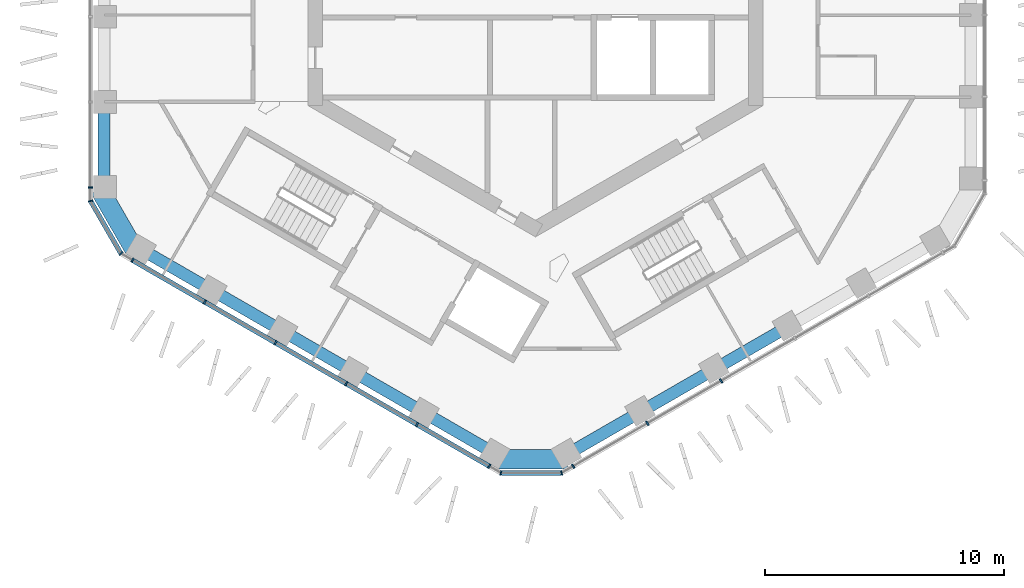
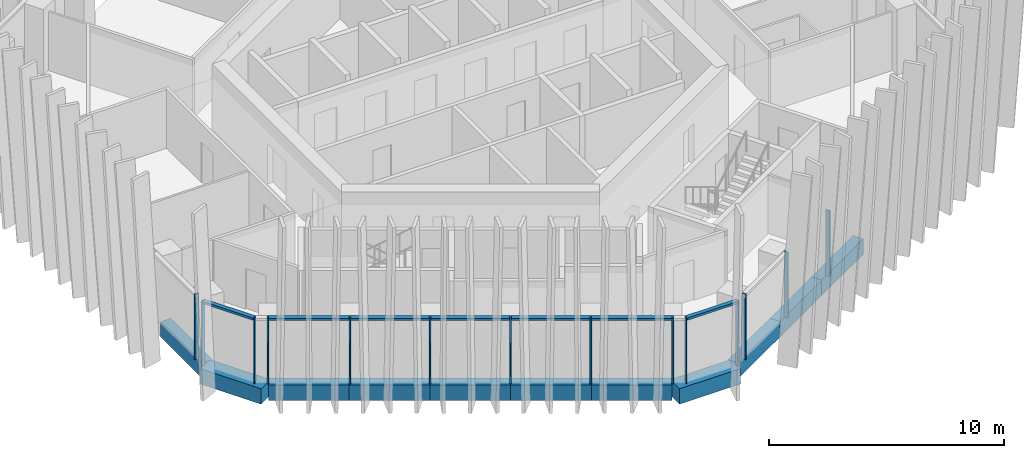
# One storey, part 2 of 20: 17 members, 11 beams, 5 elements without a shape of their own.
"""IFC4 building model written with IfcOpenShell, lengths in metres."""

from ifc_helpers import new_model, si_unit, direction, frame, origin, origin_2d, place, context, subcontext, project, spatial, rectangle, extrude, material, layer, layer_set, material_profile, profile_set, type_object, element, aggregate, save


model = new_model("IFC4")

# Units and contexts
model_context = context("Model", 3, precision=1e-05, world=origin(), true_north=direction((0.0, 1.0)))
body_context = subcontext(model_context, "Body", "Model", "MODEL_VIEW")
ifc_project = project(units=[si_unit("LENGTHUNIT", "METRE"), si_unit("AREAUNIT", "SQUARE_METRE"), si_unit("VOLUMEUNIT", "CUBIC_METRE"), si_unit("PLANEANGLEUNIT", "RADIAN"), si_unit("MASSUNIT", "GRAM", prefix="KILO")], contexts=[model_context])

# Site, building, storey
site_placement = place(None, origin())
site = spatial("IfcSite", under=ifc_project, at=site_placement, CompositionType="ELEMENT")
building_placement = place(site_placement, origin())
building = spatial("IfcBuilding", under=site, at=building_placement, Name="Ayvan Gate Tower", CompositionType="ELEMENT")
storey_placement = place(building_placement, frame((0.0, 0.0, 162.89990234375)))
storey = spatial("IfcBuildingStorey", under=building, at=storey_placement, Name="L43", CompositionType="ELEMENT", Elevation=162.89990234375)

# Beams
ifc_material_1 = material(Name="Concrete C40/50", Category="concrete")
ifc_material_profile_1 = material_profile(ifc_material_1, rectangle(XDim=0.800048828125, YDim=0.800048828125, at=origin_2d()), Name="RC 800x800")
ifc_profile_set_1 = profile_set([ifc_material_profile_1], Name="Concrete C40/50")
beam_type_1 = type_object("IfcBeamType", Name="Corner spandrel beam RC 800x800 C40/50", PredefinedType="BEAM", material=ifc_profile_set_1)
for number, where, z_axis, x_axis, name in (
    (1, (-18.212158203125, -8.97314453125, -0.75), (0.499990139034, -0.866031096941, 0.0), (0.866031096941, 0.499990139034, 0.0), "SB-L43-24"),
    (2, (-1.6650390625, -20.2587890625, -0.75), (1.0, 0.0, 0.0), (0.0, 1.0, 0.0), "SB-L43-30"),
):
    element("IfcBeam", number, at=place(storey_placement, frame(where, z_axis=z_axis, x_axis=x_axis)), inside=storey, type_object=beam_type_1, Name=name, PredefinedType="BEAM", context=body_context, shape_type="SweptSolid", body=[
        extrude(rectangle(XDim=0.800048828125, YDim=0.800048828125, at=origin_2d()), origin(), (0.0, 0.0, 1.0), 3.0),
    ])
ifc_material_profile_2 = material_profile(ifc_material_1, rectangle(XDim=0.5, YDim=0.800048828125, at=origin_2d()), Name="RC 500x800")
ifc_profile_set_2 = profile_set([ifc_material_profile_2], Name="Concrete C40/50")
beam_type_2 = type_object("IfcBeamType", Name="Spandrel beam RC 500x800 C40/50", PredefinedType="BEAM", material=ifc_profile_set_2)
beam_1_placement = place(storey_placement, frame((-18.021484375, -5.31787109375, -0.75), z_axis=(0.0, -1.0, 0.0), x_axis=(1.0, 0.0, 0.0)))
element("IfcBeam", 3, at=beam_1_placement, inside=storey, type_object=beam_type_2, Name="SB-L43-23", PredefinedType="BEAM", context=body_context, shape_type="SweptSolid", body=[
    extrude(rectangle(XDim=0.5, YDim=0.800048828125, at=origin_2d()), origin(), (0.0, 0.0, 1.0), 3.54541015625),
])
beam_2_placement = place(storey_placement, frame((-16.521484375, -11.461181640625, -0.75), z_axis=(0.866005460335, -0.500034541477, 0.0), x_axis=(0.500034541477, 0.866005460335, 0.0)))
element("IfcBeam", 4, at=beam_2_placement, inside=storey, type_object=beam_type_2, Name="SB-L43-25", PredefinedType="BEAM", context=body_context, shape_type="SweptSolid", body=[
    extrude(rectangle(XDim=0.5, YDim=0.800048828125, at=origin_2d()), origin(), (0.0, 0.0, 1.0), 3.430908203125),
])
beam_3_placement = place(storey_placement, frame((-13.55029296875, -13.1767578125, -0.75), z_axis=(0.866023250907, -0.500003728874, 0.0), x_axis=(0.500003728874, 0.866023250907, 0.0)))
element("IfcBeam", 5, at=beam_3_placement, inside=storey, type_object=beam_type_2, Name="SB-L43-26", PredefinedType="BEAM", context=body_context, shape_type="SweptSolid", body=[
    extrude(rectangle(XDim=0.5, YDim=0.800048828125, at=origin_2d()), origin(), (0.0, 0.0, 1.0), 3.43115234375),
])
beam_4_placement = place(storey_placement, frame((-10.578857421875, -14.892333984375, -0.75), z_axis=(0.866036273972, -0.49998117181, 0.0), x_axis=(0.49998117181, 0.866036273972, 0.0)))
element("IfcBeam", 6, at=beam_4_placement, inside=storey, type_object=beam_type_2, Name="SB-L43-27", PredefinedType="BEAM", context=body_context, shape_type="SweptSolid", body=[
    extrude(rectangle(XDim=0.5, YDim=0.800048828125, at=origin_2d()), origin(), (0.0, 0.0, 1.0), 3.430908203125),
])
beam_5_placement = place(storey_placement, frame((-7.607666015625, -16.607666015625, -0.75), z_axis=(0.866023250907, -0.500003728874, 0.0), x_axis=(0.500003728874, 0.866023250907, 0.0)))
element("IfcBeam", 7, at=beam_5_placement, inside=storey, type_object=beam_type_2, Name="SB-L43-28", PredefinedType="BEAM", context=body_context, shape_type="SweptSolid", body=[
    extrude(rectangle(XDim=0.5, YDim=0.800048828125, at=origin_2d()), origin(), (0.0, 0.0, 1.0), 3.43115234375),
])
beam_6_placement = place(storey_placement, frame((-4.63623046875, -18.3232421875, -0.75), z_axis=(0.866005460335, -0.500034541477, 0.0), x_axis=(0.500034541477, 0.866005460335, 0.0)))
element("IfcBeam", 8, at=beam_6_placement, inside=storey, type_object=beam_type_2, Name="SB-L43-29", PredefinedType="BEAM", context=body_context, shape_type="SweptSolid", body=[
    extrude(rectangle(XDim=0.5, YDim=0.800048828125, at=origin_2d()), origin(), (0.0, 0.0, 1.0), 3.430908203125),
])
for number, where, z_axis, x_axis, name in (
    (9, (1.3349609375, -20.038818359375, -0.75), (0.866018157372, 0.500012550944, 0.0), (-0.500012550944, 0.866018157372, 0.0), "SB-L43-31"),
    (10, (4.4052734375, -18.26611328125, -0.75), (0.866018157372, 0.500012550944, 0.0), (-0.500012550944, 0.866018157372, 0.0), "SB-L43-32"),
):
    element("IfcBeam", number, at=place(storey_placement, frame(where, z_axis=z_axis, x_axis=x_axis)), inside=storey, type_object=beam_type_2, Name=name, PredefinedType="BEAM", context=body_context, shape_type="SweptSolid", body=[
        extrude(rectangle(XDim=0.5, YDim=0.800048828125, at=origin_2d()), origin(), (0.0, 0.0, 1.0), 3.54541015625),
    ])
beam_7_placement = place(storey_placement, frame((7.4755859375, -16.493408203125, -0.75), z_axis=(0.86604797581, 0.499960902066, 0.0), x_axis=(-0.499960902066, 0.86604797581, 0.0)))
element("IfcBeam", 11, at=beam_7_placement, inside=storey, type_object=beam_type_2, Name="SB-L43-33", PredefinedType="BEAM", context=body_context, shape_type="SweptSolid", body=[
    extrude(rectangle(XDim=0.5, YDim=0.800048828125, at=origin_2d()), origin(), (0.0, 0.0, 1.0), 3.545166015625),
])

# Curtain wall, member
ifc_material_2 = material(Name="Bronze anodised aluminium", Category="aluminium")
ifc_layer_1 = layer(ifc_material_2, 0.199951171875)
ifc_layer_set_1 = layer_set([ifc_layer_1], Name="Bronze anodised aluminium")
curtain_wall_type_1 = type_object("IfcCurtainWallType", Name="Stick curtain wall CW-2", PredefinedType="NOTDEFINED", material=ifc_layer_set_1)
curtain_wall_1_placement = place(storey_placement, origin())
curtain_wall_1 = element("IfcCurtainWall", 12, at=curtain_wall_1_placement, inside=storey, type_object=curtain_wall_type_1, Name="Stick curtain wall CW-2 L43", PredefinedType="NOTDEFINED")
ifc_material_profile_3 = material_profile(ifc_material_2, rectangle(XDim=0.199951171875, YDim=0.070068359375, at=origin_2d()), Name="Stick curtain wall CW-2 mullion 200 x 70")
ifc_profile_set_3 = profile_set([ifc_material_profile_3], Name="Bronze anodised aluminium")
member_type_1 = type_object("IfcMemberType", Name="Stick curtain wall CW-2 mullion 200 x 70", PredefinedType="MULLION", material=ifc_profile_set_3)
member_1_placement = place(storey_placement, frame((-18.58349609375, -8.911376953125, 0.0), z_axis=(0.0, 0.0, 1.0), x_axis=(-1.0, 0.0, 0.0)))
member_1 = element("IfcMember", 13, at=member_1_placement, type_object=member_type_1, Name="CW-2 mullion 6", PredefinedType="MULLION", context=body_context, shape_type="SweptSolid", body=[
    extrude(rectangle(XDim=0.199951171875, YDim=0.070068359375, at=origin_2d()), origin(), (0.0, 0.0, 1.0), 3.400146484375),
])
aggregate(curtain_wall_1, [member_1])

# Curtain wall, members
curtain_wall_2_placement = place(storey_placement, origin())
curtain_wall_2 = element("IfcCurtainWall", 14, at=curtain_wall_2_placement, inside=storey, type_object=curtain_wall_type_1, Name="Stick curtain wall CW-2 L43", PredefinedType="NOTDEFINED")
member_2_placement = place(storey_placement, frame((-16.831298828125, -11.946533203125, 0.0), z_axis=(0.0, 0.0, 1.0), x_axis=(-0.5, -0.866025403784, 0.0)))
member_2 = element("IfcMember", 15, at=member_2_placement, type_object=member_type_1, Name="CW-2 mullion 1", PredefinedType="MULLION", context=body_context, shape_type="SweptSolid", body=[
    extrude(rectangle(XDim=0.199951171875, YDim=0.070068359375, at=origin_2d()), origin(), (0.0, 0.0, 1.0), 3.400146484375),
])
member_3_placement = place(storey_placement, frame((-13.812255859375, -13.689453125, 0.0), z_axis=(0.0, 0.0, 1.0), x_axis=(-0.5, -0.866025403784, 0.0)))
member_3 = element("IfcMember", 16, at=member_3_placement, type_object=member_type_1, Name="CW-2 mullion 2", PredefinedType="MULLION", context=body_context, shape_type="SweptSolid", body=[
    extrude(rectangle(XDim=0.199951171875, YDim=0.070068359375, at=origin_2d()), origin(), (0.0, 0.0, 1.0), 3.400146484375),
])
member_4_placement = place(storey_placement, frame((-10.858154296875, -15.39501953125, 0.0), z_axis=(0.0, 0.0, 1.0), x_axis=(-0.5, -0.866025403784, 0.0)))
member_4 = element("IfcMember", 17, at=member_4_placement, type_object=member_type_1, Name="CW-2 mullion 3", PredefinedType="MULLION", context=body_context, shape_type="SweptSolid", body=[
    extrude(rectangle(XDim=0.199951171875, YDim=0.070068359375, at=origin_2d()), origin(), (0.0, 0.0, 1.0), 3.400146484375),
])
member_5_placement = place(storey_placement, frame((-7.9033203125, -17.100830078125, 0.0), z_axis=(0.0, 0.0, 1.0), x_axis=(-0.5, -0.866025403784, 0.0)))
member_5 = element("IfcMember", 18, at=member_5_placement, type_object=member_type_1, Name="CW-2 mullion 4", PredefinedType="MULLION", context=body_context, shape_type="SweptSolid", body=[
    extrude(rectangle(XDim=0.199951171875, YDim=0.070068359375, at=origin_2d()), origin(), (0.0, 0.0, 1.0), 3.400146484375),
])
member_6_placement = place(storey_placement, frame((-4.949462890625, -18.806396484375, 0.0), z_axis=(0.0, 0.0, 1.0), x_axis=(-0.5, -0.866025403784, 0.0)))
member_6 = element("IfcMember", 19, at=member_6_placement, type_object=member_type_1, Name="CW-2 mullion 5", PredefinedType="MULLION", context=body_context, shape_type="SweptSolid", body=[
    extrude(rectangle(XDim=0.199951171875, YDim=0.070068359375, at=origin_2d()), origin(), (0.0, 0.0, 1.0), 3.400146484375),
])
member_7_placement = place(storey_placement, frame((-1.93017578125, -20.549560546875, 0.0), z_axis=(0.0, 0.0, 1.0), x_axis=(-0.5, -0.866025403784, 0.0)))
member_7 = element("IfcMember", 20, at=member_7_placement, type_object=member_type_1, Name="CW-2 mullion 6", PredefinedType="MULLION", context=body_context, shape_type="SweptSolid", body=[
    extrude(rectangle(XDim=0.199951171875, YDim=0.070068359375, at=origin_2d()), origin(), (0.0, 0.0, 1.0), 3.400146484375),
])

curtain_wall_3_placement = place(storey_placement, origin())
curtain_wall_3 = element("IfcCurtainWall", 21, at=curtain_wall_3_placement, inside=storey, type_object=curtain_wall_type_1, Name="Stick curtain wall CW-2 L43", PredefinedType="NOTDEFINED")
member_8_placement = place(storey_placement, frame((1.57421875, -20.549560546875, 0.0), z_axis=(0.0, 0.0, 1.0), x_axis=(0.5, -0.866025403784, 0.0)))
member_8 = element("IfcMember", 22, at=member_8_placement, type_object=member_type_1, Name="CW-2 mullion 1", PredefinedType="MULLION", context=body_context, shape_type="SweptSolid", body=[
    extrude(rectangle(XDim=0.199951171875, YDim=0.070068359375, at=origin_2d()), origin(), (0.0, 0.0, 1.0), 3.400146484375),
])
member_9_placement = place(storey_placement, frame((4.673828125, -18.760009765625, 0.0), z_axis=(0.0, 0.0, 1.0), x_axis=(0.5, -0.866025403784, 0.0)))
member_9 = element("IfcMember", 23, at=member_9_placement, type_object=member_type_1, Name="CW-2 mullion 2", PredefinedType="MULLION", context=body_context, shape_type="SweptSolid", body=[
    extrude(rectangle(XDim=0.199951171875, YDim=0.070068359375, at=origin_2d()), origin(), (0.0, 0.0, 1.0), 3.400146484375),
])
member_10_placement = place(storey_placement, frame((7.75244140625, -16.982421875, 0.0), z_axis=(0.0, 0.0, 1.0), x_axis=(0.5, -0.866025403784, 0.0)))
member_10 = element("IfcMember", 24, at=member_10_placement, type_object=member_type_1, Name="CW-2 mullion 3", PredefinedType="MULLION", context=body_context, shape_type="SweptSolid", body=[
    extrude(rectangle(XDim=0.199951171875, YDim=0.070068359375, at=origin_2d()), origin(), (0.0, 0.0, 1.0), 3.400146484375),
])
aggregate(curtain_wall_3, [member_8, member_9, member_10])

# Member
ifc_material_profile_4 = material_profile(ifc_material_2, rectangle(XDim=0.199951171875, YDim=0.1201171875, at=origin_2d()), Name="Stick curtain wall CW-2 transom 200 x 120")
ifc_profile_set_4 = profile_set([ifc_material_profile_4], Name="Bronze anodised aluminium")
member_type_2 = type_object("IfcMemberType", Name="Stick curtain wall CW-2 transom 200 x 120", PredefinedType="USERDEFINED", material=ifc_profile_set_4)
member_11_placement = place(storey_placement, frame((-16.831298828125, -11.946533203125, 3.340087890625), z_axis=(0.866028928476, -0.499993895005, 0.0), x_axis=(0.499993895005, 0.866028928476, 0.0)))
member_11 = element("IfcMember", 25, at=member_11_placement, type_object=member_type_2, Name="CW-2 transom 1", ObjectType="TRANSOM", PredefinedType="USERDEFINED", context=body_context, shape_type="SweptSolid", body=[
    extrude(rectangle(XDim=0.199951171875, YDim=0.1201171875, at=origin_2d()), origin(), (0.0, 0.0, 1.0), 17.206298828125),
])

aggregate(curtain_wall_2, [member_2, member_3, member_4, member_5, member_6, member_7, member_11])

# Curtain wall, members
ifc_layer_2 = layer(ifc_material_2, 0.199951171875)
ifc_layer_set_2 = layer_set([ifc_layer_2], Name="Bronze anodised aluminium")
curtain_wall_type_2 = type_object("IfcCurtainWallType", Name="Stick curtain wall CW-6", PredefinedType="NOTDEFINED", material=ifc_layer_set_2)
curtain_wall_4_placement = place(storey_placement, origin())
curtain_wall_4 = element("IfcCurtainWall", 26, at=curtain_wall_4_placement, inside=storey, type_object=curtain_wall_type_2, Name="Stick curtain wall CW-6 L43", PredefinedType="NOTDEFINED")
ifc_material_profile_5 = material_profile(ifc_material_2, rectangle(XDim=0.199951171875, YDim=0.050048828125, at=origin_2d()), Name="Stick curtain wall CW-6 mullion 200 x 50")
ifc_profile_set_5 = profile_set([ifc_material_profile_5], Name="Bronze anodised aluminium")
member_type_3 = type_object("IfcMemberType", Name="Stick curtain wall CW-6 mullion 200 x 50", PredefinedType="MULLION", material=ifc_profile_set_5)
member_12_placement = place(storey_placement, frame((-18.58349609375, -9.471435546875, 0.0), z_axis=(0.0, 0.0, 1.0), x_axis=(-0.965925826289, -0.258819045103, 0.0)))
member_12 = element("IfcMember", 27, at=member_12_placement, type_object=member_type_3, Name="CW-6 mullion 2", PredefinedType="MULLION", context=body_context, shape_type="SweptSolid", body=[
    extrude(rectangle(XDim=0.199951171875, YDim=0.050048828125, at=origin_2d()), origin(), (0.0, 0.0, 1.0), 3.400146484375),
])
member_13_placement = place(storey_placement, frame((-17.316162109375, -11.66650390625, 0.0), z_axis=(0.0, 0.0, 1.0), x_axis=(-0.707106781187, -0.707106781187, 0.0)))
member_13 = element("IfcMember", 28, at=member_13_placement, type_object=member_type_3, Name="CW-6 mullion 3", PredefinedType="MULLION", context=body_context, shape_type="SweptSolid", body=[
    extrude(rectangle(XDim=0.199951171875, YDim=0.050048828125, at=origin_2d()), origin(), (0.0, 0.0, 1.0), 3.400146484375),
])

curtain_wall_5_placement = place(storey_placement, origin())
curtain_wall_5 = element("IfcCurtainWall", 29, at=curtain_wall_5_placement, inside=storey, type_object=curtain_wall_type_2, Name="Stick curtain wall CW-6 L43", PredefinedType="NOTDEFINED")
member_14_placement = place(storey_placement, frame((-1.4453125, -20.82958984375, 0.0), z_axis=(0.0, 0.0, 1.0), x_axis=(-0.258819045103, -0.965925826289, 0.0)))
member_14 = element("IfcMember", 30, at=member_14_placement, type_object=member_type_3, Name="CW-6 mullion 2", PredefinedType="MULLION", context=body_context, shape_type="SweptSolid", body=[
    extrude(rectangle(XDim=0.199951171875, YDim=0.050048828125, at=origin_2d()), origin(), (0.0, 0.0, 1.0), 3.400146484375),
])
member_15_placement = place(storey_placement, frame((1.08935546875, -20.82958984375, 0.0), z_axis=(0.0, 0.0, 1.0), x_axis=(0.258819045103, -0.965925826289, 0.0)))
member_15 = element("IfcMember", 31, at=member_15_placement, type_object=member_type_3, Name="CW-6 mullion 3", PredefinedType="MULLION", context=body_context, shape_type="SweptSolid", body=[
    extrude(rectangle(XDim=0.199951171875, YDim=0.050048828125, at=origin_2d()), origin(), (0.0, 0.0, 1.0), 3.400146484375),
])

# Member
ifc_material_profile_6 = material_profile(ifc_material_2, rectangle(XDim=0.199951171875, YDim=0.1201171875, at=origin_2d()), Name="Stick curtain wall CW-6 transom 200 x 120")
ifc_profile_set_6 = profile_set([ifc_material_profile_6], Name="Bronze anodised aluminium")
member_type_4 = type_object("IfcMemberType", Name="Stick curtain wall CW-6 transom 200 x 120", PredefinedType="USERDEFINED", material=ifc_profile_set_6)
member_16_placement = place(storey_placement, frame((-18.571044921875, -9.4931640625, 3.340087890625), z_axis=(0.500059846627, -0.865990848561, 0.0), x_axis=(0.865990848561, 0.500059846627, 0.0)))
member_16 = element("IfcMember", 32, at=member_16_placement, type_object=member_type_4, Name="CW-6 transom 2", ObjectType="TRANSOM", PredefinedType="USERDEFINED", context=body_context, shape_type="SweptSolid", body=[
    extrude(rectangle(XDim=0.199951171875, YDim=0.1201171875, at=origin_2d()), origin(), (0.0, 0.0, 1.0), 2.484619140625),
])

aggregate(curtain_wall_4, [member_12, member_13, member_16])

member_17_placement = place(storey_placement, frame((-1.42041015625, -20.82958984375, 3.340087890625), z_axis=(1.0, 0.0, 0.0), x_axis=(0.0, 1.0, 0.0)))
member_17 = element("IfcMember", 33, at=member_17_placement, type_object=member_type_4, Name="CW-6 transom 2", ObjectType="TRANSOM", PredefinedType="USERDEFINED", context=body_context, shape_type="SweptSolid", body=[
    extrude(rectangle(XDim=0.199951171875, YDim=0.1201171875, at=origin_2d()), origin(), (0.0, 0.0, 1.0), 2.484619140625),
])

aggregate(curtain_wall_5, [member_14, member_15, member_17])

save(model, "model.ifc")
